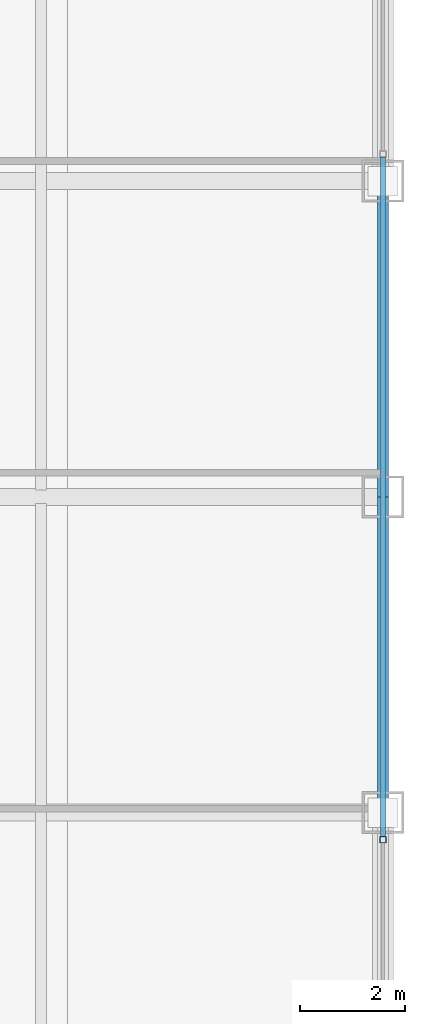
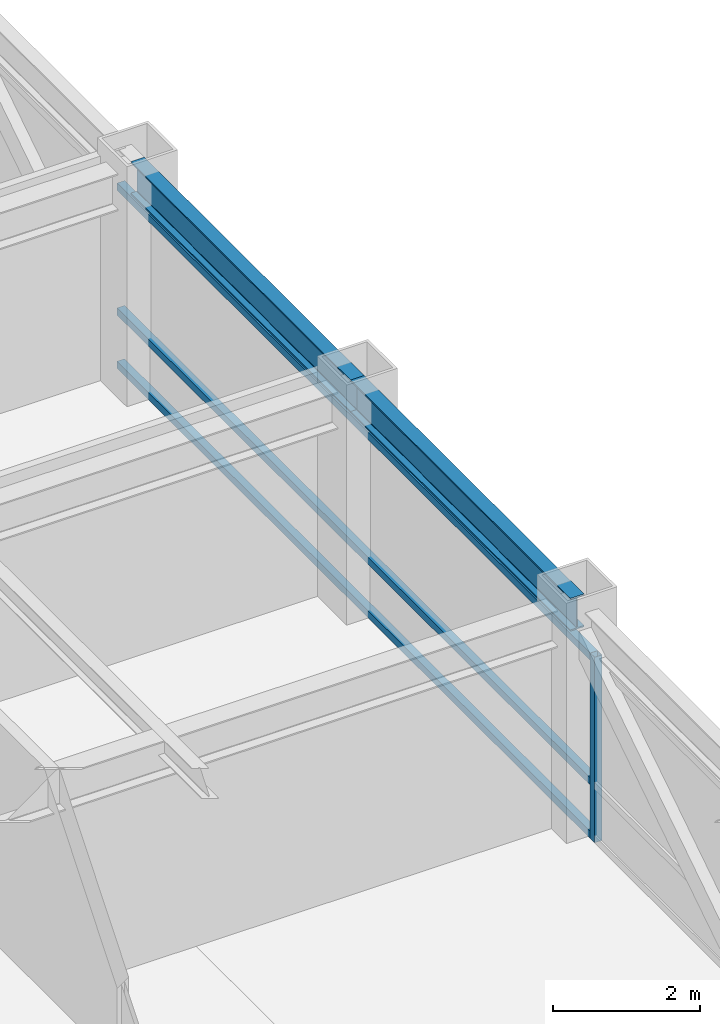
# One storey, part 14 of 29: 4 members, 2 beams, 1 element without a shape of its own.
"""IFC4 building model written with IfcOpenShell, lengths in metres."""

from ifc_helpers import new_model, si_unit, direction, frame, origin, origin_2d, place, context, subcontext, project, spatial, hollow_rectangle, i_section, extrude, source, transform, mapped, material, material_profile, profile_set, type_object, element, aggregate, save


model = new_model("IFC4")

# Units and contexts
model_context = context("Model", 3, precision=1e-05, world=origin(), true_north=direction((0.0, 1.0)))
body_context = subcontext(model_context, "Body", "Model", "MODEL_VIEW")
ifc_project = project(units=[si_unit("LENGTHUNIT", "METRE"), si_unit("AREAUNIT", "SQUARE_METRE"), si_unit("VOLUMEUNIT", "CUBIC_METRE"), si_unit("PLANEANGLEUNIT", "RADIAN"), si_unit("MASSUNIT", "GRAM", prefix="KILO")], contexts=[model_context])

# Site, building, storey
site_placement = place(None, origin())
site = spatial("IfcSite", under=ifc_project, at=site_placement, CompositionType="ELEMENT")
building_placement = place(site_placement, origin())
building = spatial("IfcBuilding", under=site, at=building_placement, Name="Khorayat Bourse Tower", CompositionType="ELEMENT")
storey_placement = place(building_placement, frame((0.0, 0.0, 350.300048828125)))
storey = spatial("IfcBuildingStorey", under=building, at=storey_placement, Name="L83", CompositionType="ELEMENT", Elevation=350.300048828125)

# Beams
ifc_material_1 = material(Name="Steel ASTM A992 Grade 50", Category="steel")
ifc_material_profile_1 = material_profile(ifc_material_1, i_section(OverallWidth=0.214111328125, OverallDepth=0.549072265625, WebThickness=0.0146484375, FlangeThickness=0.023681640625, FilletRadius=0.013916015625, at=origin_2d()), Name="W530X138")
ifc_profile_set_1 = profile_set([ifc_material_profile_1], Name="Steel ASTM A992 Grade 50")
beam_type = type_object("IfcBeamType", Name="BM-SPAN-530", PredefinedType="SPANDREL", material=ifc_profile_set_1)
shared_shape_1 = source(origin(), body_context, "Body", "SweptSolid", [
    extrude(i_section(OverallWidth=0.214111328125, OverallDepth=0.549072265625, WebThickness=0.0146484375, FlangeThickness=0.023681640625, FilletRadius=0.013916015625, at=origin_2d()), origin(), (0.0, 0.0, 1.0), 6.0),
])
for number, where, z_axis, x_axis, name in (
    (1, (26.0, -6.0, 3.46533203125), (0.0, 1.0, 0.0), (-1.0, 0.0, 0.0), "L83 BM-SPAN-530 BM-L83-SPN-031"),
    (2, (26.0, 0.0, 3.46533203125), (0.0, 1.0, 0.0), (-1.0, 0.0, 0.0), "L83 BM-SPAN-530 BM-L83-SPN-032"),
):
    element("IfcBeam", number, at=place(storey_placement, frame(where, z_axis=z_axis, x_axis=x_axis)), inside=storey, type_object=beam_type, Name=name, PredefinedType="SPANDREL", context=body_context, shape_type="MappedRepresentation", body=[
        mapped(shared_shape_1, transform((0.0, 0.0, 0.0), scale=1.0)),
    ])

# Curtain wall, members
ifc_material_2 = material(Name="Aluminium EN AW-6063 T6", Category="aluminium")
curtain_wall_type = type_object("IfcCurtainWallType", Name="CW-SYS-06", PredefinedType="NOTDEFINED", material=ifc_material_2)
curtain_wall_placement = place(storey_placement, origin())
curtain_wall = element("IfcCurtainWall", 3, at=curtain_wall_placement, inside=storey, type_object=curtain_wall_type, Name="L83 Curtain Wall CW-L83-E1", PredefinedType="NOTDEFINED")
ifc_material_profile_2 = material_profile(ifc_material_2, hollow_rectangle(XDim=0.1201171875, YDim=0.1201171875, WallThickness=0.0048828125, at=origin_2d()), Name="ALU 120x120x5")
ifc_profile_set_2 = profile_set([ifc_material_profile_2], Name="Aluminium EN AW-6063 T6")
member_type_1 = type_object("IfcMemberType", Name="CWM-VERT-120", PredefinedType="MULLION", material=ifc_profile_set_2)
shared_shape_2 = source(origin(), body_context, "Body", "SweptSolid", [
    extrude(hollow_rectangle(XDim=0.1201171875, YDim=0.1201171875, WallThickness=0.0048828125, at=origin_2d()), origin(), (0.0, 0.0, 1.0), 3.08984375),
])
member_1_placement = place(storey_placement, frame((26.0, -6.5166015625, 0.0), z_axis=(0.0, 0.0, 1.0), x_axis=(-1.0, 0.0, 0.0)))
member_1 = element("IfcMember", 4, at=member_1_placement, type_object=member_type_1, Name="CW-L83-E1 Vertical Mullion 2", PredefinedType="MULLION", context=body_context, shape_type="MappedRepresentation", body=[
    mapped(shared_shape_2, transform((0.0, 0.0, 0.0), scale=1.0)),
])
ifc_material_profile_3 = material_profile(ifc_material_2, hollow_rectangle(XDim=0.1201171875, YDim=0.1201171875, WallThickness=0.0048828125, at=origin_2d()), Name="ALU 120x120x5")
ifc_profile_set_3 = profile_set([ifc_material_profile_3], Name="Aluminium EN AW-6063 T6")
member_type_2 = type_object("IfcMemberType", Name="CWT-HORZ-120", PredefinedType="USERDEFINED", material=ifc_profile_set_3)
shared_shape_3 = source(origin(), body_context, "Body", "SweptSolid", [
    extrude(hollow_rectangle(XDim=0.1201171875, YDim=0.1201171875, WallThickness=0.0048828125, at=origin_2d()), origin(), (0.0, 0.0, 1.0), 12.91357421875),
])
member_2_placement = place(storey_placement, frame((26.0, -6.456787109375, 0.06005859375), z_axis=(0.0, 1.0, 0.0), x_axis=(-1.0, 0.0, 0.0)))
member_2 = element("IfcMember", 5, at=member_2_placement, type_object=member_type_2, Name="CW-L83-E1 Horizontal Transom 2-1", ObjectType="TRANSOM", PredefinedType="USERDEFINED", context=body_context, shape_type="MappedRepresentation", body=[
    mapped(shared_shape_3, transform((0.0, 0.0, 0.0), scale=1.0)),
])
member_3_placement = place(storey_placement, frame((26.0, -6.456787109375, 0.949951171875), z_axis=(0.0, 1.0, 0.0), x_axis=(-1.0, 0.0, 0.0)))
member_3 = element("IfcMember", 6, at=member_3_placement, type_object=member_type_2, Name="CW-L83-E1 Horizontal Transom 2-2", ObjectType="TRANSOM", PredefinedType="USERDEFINED", context=body_context, shape_type="MappedRepresentation", body=[
    mapped(shared_shape_3, transform((0.0, 0.0, 0.0), scale=1.0)),
])
member_4_placement = place(storey_placement, frame((26.0, -6.456787109375, 3.030029296875), z_axis=(0.0, 1.0, 0.0), x_axis=(-1.0, 0.0, 0.0)))
member_4 = element("IfcMember", 7, at=member_4_placement, type_object=member_type_2, Name="CW-L83-E1 Horizontal Transom 2-3", ObjectType="TRANSOM", PredefinedType="USERDEFINED", context=body_context, shape_type="MappedRepresentation", body=[
    mapped(shared_shape_3, transform((0.0, 0.0, 0.0), scale=1.0)),
])
aggregate(curtain_wall, [member_1, member_2, member_3, member_4])

save(model, "model.ifc")
